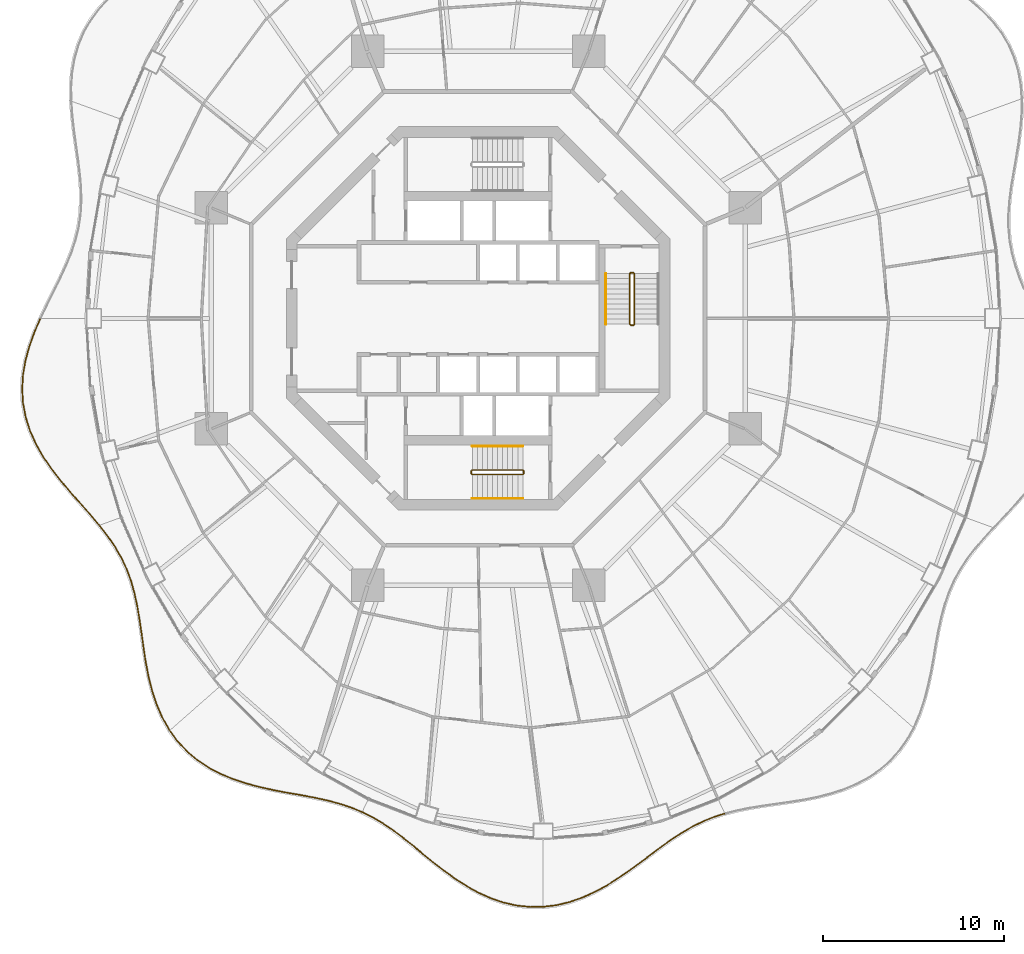
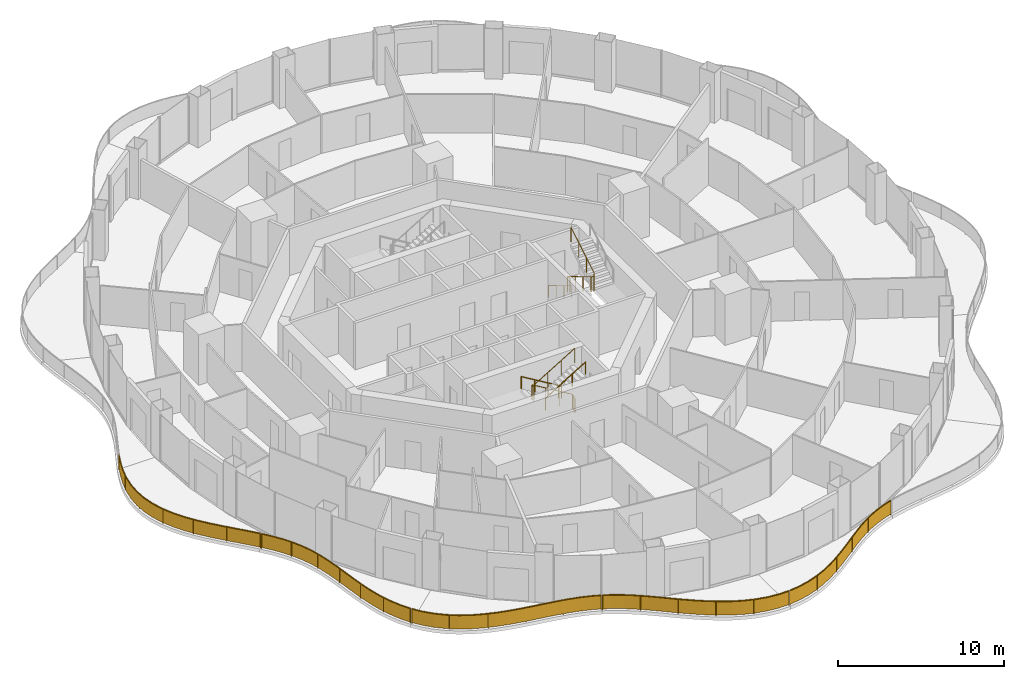
# One storey, part 17 of 19: 10 railings.
"""IFC4 building model written with IfcOpenShell, lengths in metres."""

from ifc_helpers import new_model, si_unit, direction, frame, origin, origin_2d, place, context, subcontext, project, spatial, polyline, rectangle, circle, outline, extrude, material, type_object, element, save


model = new_model("IFC4")

# Units and contexts
model_context = context("Model", 3, precision=1e-05, world=origin(), true_north=direction((0.0, 1.0)))
body_context = subcontext(model_context, "Body", "Model", "MODEL_VIEW")
ifc_project = project(units=[si_unit("LENGTHUNIT", "METRE"), si_unit("AREAUNIT", "SQUARE_METRE"), si_unit("VOLUMEUNIT", "CUBIC_METRE"), si_unit("PLANEANGLEUNIT", "RADIAN"), si_unit("MASSUNIT", "GRAM", prefix="KILO")], contexts=[model_context])

# Site, building, storey
site_placement = place(None, origin())
site = spatial("IfcSite", under=ifc_project, at=site_placement, CompositionType="ELEMENT")
building_placement = place(site_placement, origin())
building = spatial("IfcBuilding", under=site, at=building_placement, Name="Nagisa Residences", CompositionType="ELEMENT")
storey_placement = place(building_placement, frame((0.0, 0.0, 199.199951171875)))
storey = spatial("IfcBuildingStorey", under=building, at=storey_placement, Name="L50", CompositionType="ELEMENT", Elevation=199.199951171875)

# Railings
ifc_material_1 = material(Name="Stainless steel 316", Category="steel")
railing_type_1 = type_object("IfcRailingType", Name="BALCONY GUARD 1100", PredefinedType="BALUSTRADE", material=ifc_material_1)
railing_1_placement = place(storey_placement, frame((-24.25537109375, -0.03515625, 0.0)))
element("IfcRailing", 1, at=railing_1_placement, inside=storey, type_object=railing_type_1, Name="guard:L50:bal08-0", PredefinedType="BALUSTRADE", context=body_context, shape_type="SweptSolid", body=[
    extrude(outline(polyline([(-0.28955078125, -0.734375), (0.02294921875, -0.010009765625), (-0.02294921875, 0.010009765625), (-0.3359375, -0.7158203125), (-0.6171875, -1.49755859375), (-0.83349609375, -2.289306640625), (-0.97119140625, -3.0859375), (-1.01904296875, -3.88232421875), (-0.97216796875, -4.658935546875), (-0.825927734375, -5.4365234375), (-0.584228515625, -6.19677734375), (-0.254638671875, -6.934326171875), (0.151611328125, -7.6474609375), (0.61669921875, -8.320556640625), (1.1298828125, -8.981689453125), (1.66943359375, -9.619873046875), (2.216796875, -10.239990234375), (2.75341796875, -10.847412109375), (3.236083984375, -11.415771484375), (3.274169921875, -11.383544921875), (2.791015625, -10.814697265625), (2.25439453125, -10.206787109375), (1.70751953125, -9.587158203125), (1.1689453125, -8.949951171875), (0.6572265625, -8.290771484375), (0.194091796875, -7.62060546875), (-0.209716796875, -6.911865234375), (-0.537353515625, -6.1787109375), (-0.777099609375, -5.42431640625), (-0.92236328125, -4.652587890625), (-0.96875, -3.88232421875), (-0.92138671875, -3.091796875), (-0.78466796875, -2.300048828125), (-0.5693359375, -1.5126953125), (-0.28955078125, -0.734375)])), frame((0.0, 0.0, 1.050048828125)), (0.0, 0.0, 1.0), 0.050048828125),
    extrude(outline(polyline([(-0.30615234375, -0.727783203125), (0.00634765625, -0.002685546875), (-0.00634765625, 0.002685546875), (-0.3193359375, -0.722412109375), (-0.599853515625, -1.5029296875), (-0.81591796875, -2.293212890625), (-0.953369140625, -3.088134765625), (-1.0009765625, -3.88232421875), (-0.954345703125, -4.65673828125), (-0.808349609375, -5.43212890625), (-0.5673828125, -6.190185546875), (-0.238525390625, -6.92626953125), (0.1669921875, -7.6376953125), (0.63134765625, -8.309814453125), (1.14404296875, -8.97021484375), (1.68310546875, -9.608154296875), (2.23046875, -10.22802734375), (2.766845703125, -10.835693359375), (3.249755859375, -11.404296875), (3.260498046875, -11.39501953125), (2.777587890625, -10.826416015625), (2.24072265625, -10.21875), (1.69384765625, -9.598876953125), (1.15478515625, -8.96142578125), (0.642578125, -8.301513671875), (0.1787109375, -7.63037109375), (-0.225830078125, -6.919921875), (-0.55419921875, -6.185302734375), (-0.794677734375, -5.4287109375), (-0.940185546875, -4.65478515625), (-0.98681640625, -3.88232421875), (-0.939208984375, -3.089599609375), (-0.80224609375, -2.296142578125), (-0.586669921875, -1.50732421875), (-0.30615234375, -0.727783203125)])), frame((0.0, 0.0, 0.06005859375)), (0.0, 0.0, 1.0), 0.989990234375),
    extrude(rectangle(XDim=0.0400390625, YDim=0.0400390625, at=origin_2d()), origin(), (0.0, 0.0, 1.0), 1.050048828125),
    extrude(rectangle(XDim=0.0400390625, YDim=0.0400390625, at=origin_2d()), frame((-0.73291015625, -2.01611328125, 0.0)), (0.0, 0.0, 1.0), 1.050048828125),
    extrude(rectangle(XDim=0.0400390625, YDim=0.0400390625, at=origin_2d()), frame((-0.978271484375, -4.140625, 0.0)), (0.0, 0.0, 1.0), 1.050048828125),
    extrude(rectangle(XDim=0.0400390625, YDim=0.0400390625, at=origin_2d()), frame((-0.540771484375, -6.232666015625, 0.0)), (0.0, 0.0, 1.0), 1.050048828125),
    extrude(rectangle(XDim=0.0400390625, YDim=0.0400390625, at=origin_2d()), frame((0.4990234375, -8.106201171875, 0.0)), (0.0, 0.0, 1.0), 1.050048828125),
    extrude(rectangle(XDim=0.0400390625, YDim=0.0400390625, at=origin_2d()), frame((1.843994140625, -9.77978515625, 0.0)), (0.0, 0.0, 1.0), 1.050048828125),
    extrude(rectangle(XDim=0.0400390625, YDim=0.0400390625, at=origin_2d()), frame((3.255126953125, -11.399658203125, 0.0)), (0.0, 0.0, 1.0), 1.050048828125),
])
railing_2_placement = place(storey_placement, frame((-20.952392578125, -11.490478515625, 0.0)))
element("IfcRailing", 2, at=railing_2_placement, inside=storey, type_object=railing_type_1, Name="guard:L50:bal09-0", PredefinedType="BALUSTRADE", context=body_context, shape_type="SweptSolid", body=[
    extrude(outline(polyline([(0.449951171875, -0.536865234375), (0.019775390625, 0.015380859375), (-0.019775390625, -0.015380859375), (0.409423828125, -0.566162109375), (0.816162109375, -1.16162109375), (1.16943359375, -1.77294921875), (1.467041015625, -2.406494140625), (1.710693359375, -3.06689453125), (1.899169921875, -3.744384765625), (2.054443359375, -4.465087890625), (2.181396484375, -5.215087890625), (2.29345703125, -5.9892578125), (2.4052734375, -6.7822265625), (2.52392578125, -7.572265625), (2.681396484375, -8.375), (2.883056640625, -9.166015625), (3.140380859375, -9.93359375), (3.46240234375, -10.666259765625), (3.830810546875, -11.31201171875), (3.874267578125, -11.287109375), (3.50732421875, -10.643798828125), (3.187255859375, -9.91552734375), (2.930908203125, -9.15185546875), (2.730224609375, -8.36376953125), (2.5732421875, -7.56396484375), (2.45458984375, -6.77490234375), (2.3427734375, -5.982421875), (2.230712890625, -5.207275390625), (2.103759765625, -4.455810546875), (1.947998046875, -3.732177734375), (1.758544921875, -3.05126953125), (1.513427734375, -2.386962890625), (1.2138671875, -1.74951171875), (0.858642578125, -1.134765625), (0.449951171875, -0.536865234375)])), frame((0.0, 0.0, 1.050048828125)), (0.0, 0.0, 1.0), 0.050048828125),
    extrude(outline(polyline([(0.435302734375, -0.54736328125), (0.005615234375, 0.00439453125), (-0.005615234375, -0.00439453125), (0.424072265625, -0.5556640625), (0.83154296875, -1.15185546875), (1.185546875, -1.764404296875), (1.48388671875, -2.3994140625), (1.72802734375, -3.061279296875), (1.916748046875, -3.739990234375), (2.072265625, -4.461669921875), (2.19921875, -5.212158203125), (2.311279296875, -5.98681640625), (2.423095703125, -6.779541015625), (2.541748046875, -7.5693359375), (2.698974609375, -8.370849609375), (2.900146484375, -9.160888671875), (3.1572265625, -9.927001953125), (3.478515625, -10.658203125), (3.846435546875, -11.302978515625), (3.858642578125, -11.296142578125), (3.4912109375, -10.65185546875), (3.17041015625, -9.922119140625), (2.913818359375, -9.156982421875), (2.712646484375, -8.367919921875), (2.555419921875, -7.56689453125), (2.436767578125, -6.777587890625), (2.324951171875, -5.98486328125), (2.212890625, -5.210205078125), (2.0859375, -4.459228515625), (1.930419921875, -3.736572265625), (1.7412109375, -3.056884765625), (1.49658203125, -2.39404296875), (1.19775390625, -1.758056640625), (0.84326171875, -1.14453125), (0.435302734375, -0.54736328125)])), frame((0.0, 0.0, 0.06005859375)), (0.0, 0.0, 1.0), 0.989990234375),
    extrude(rectangle(XDim=0.0400390625, YDim=0.0400390625, at=origin_2d()), origin(), (0.0, 0.0, 1.0), 1.050048828125),
    extrude(rectangle(XDim=0.0400390625, YDim=0.0400390625, at=origin_2d()), frame((1.13525390625, -1.663818359375, 0.0)), (0.0, 0.0, 1.0), 1.050048828125),
    extrude(rectangle(XDim=0.0400390625, YDim=0.0400390625, at=origin_2d()), frame((1.86767578125, -3.537353515625, 0.0)), (0.0, 0.0, 1.0), 1.050048828125),
    extrude(rectangle(XDim=0.0400390625, YDim=0.0400390625, at=origin_2d()), frame((2.250244140625, -5.5166015625, 0.0)), (0.0, 0.0, 1.0), 1.050048828125),
    extrude(rectangle(XDim=0.0400390625, YDim=0.0400390625, at=origin_2d()), frame((2.540283203125, -7.512939453125, 0.0)), (0.0, 0.0, 1.0), 1.050048828125),
    extrude(rectangle(XDim=0.0400390625, YDim=0.0400390625, at=origin_2d()), frame((3.011962890625, -9.471923828125, 0.0)), (0.0, 0.0, 1.0), 1.050048828125),
    extrude(rectangle(XDim=0.0400390625, YDim=0.0400390625, at=origin_2d()), frame((3.8525390625, -11.299560546875, 0.0)), (0.0, 0.0, 1.0), 1.050048828125),
])
railing_3_placement = place(storey_placement, frame((-17.057861328125, -22.85498046875, 0.0)))
element("IfcRailing", 3, at=railing_3_placement, inside=storey, type_object=railing_type_1, Name="guard:L50:bal10-0", PredefinedType="BALUSTRADE", context=body_context, shape_type="SweptSolid", body=[
    extrude(outline(polyline([(0.432373046875, -0.5478515625), (0.020263671875, 0.014892578125), (-0.020263671875, -0.014892578125), (0.393798828125, -0.57958984375), (0.902587890625, -1.12548828125), (1.473876953125, -1.610107421875), (2.101806640625, -2.03125), (2.778076171875, -2.39013671875), (3.48095703125, -2.679443359375), (4.22412109375, -2.92626953125), (4.98388671875, -3.12890625), (5.749755859375, -3.296875), (6.51220703125, -3.442626953125), (7.24755859375, -3.569091796875), (7.977294921875, -3.707275390625), (8.681884765625, -3.86083984375), (9.359375, -4.03955078125), (10.009033203125, -4.253662109375), (10.59423828125, -4.493408203125), (10.61328125, -4.447021484375), (10.026611328125, -4.206787109375), (9.37353515625, -3.99169921875), (8.693603515625, -3.81201171875), (7.987060546875, -3.658447265625), (7.25634765625, -3.519775390625), (6.52099609375, -3.393310546875), (5.760009765625, -3.248046875), (4.99560546875, -3.080078125), (4.23828125, -2.87841796875), (3.49853515625, -2.632568359375), (2.799560546875, -2.3447265625), (2.127685546875, -1.98828125), (1.504150390625, -1.570068359375), (0.937255859375, -1.08935546875), (0.432373046875, -0.5478515625)])), frame((0.0, 0.0, 1.050048828125)), (0.0, 0.0, 1.0), 0.050048828125),
    extrude(outline(polyline([(0.41845703125, -0.559326171875), (0.005615234375, 0.004150390625), (-0.005615234375, -0.004150390625), (0.40771484375, -0.568115234375), (0.9150390625, -1.112548828125), (1.48486328125, -1.595703125), (2.111083984375, -2.015869140625), (2.785888671875, -2.373779296875), (3.4873046875, -2.66259765625), (4.229248046875, -2.908935546875), (4.988037109375, -3.111328125), (5.75341796875, -3.279296875), (6.515380859375, -3.4248046875), (7.250732421875, -3.55126953125), (7.980712890625, -3.689697265625), (8.68603515625, -3.84326171875), (9.364501953125, -4.0224609375), (10.015380859375, -4.23681640625), (10.60107421875, -4.476806640625), (10.6064453125, -4.463623046875), (10.020263671875, -4.2236328125), (9.368408203125, -4.0087890625), (8.689453125, -3.82958984375), (7.983642578125, -3.676025390625), (7.253173828125, -3.53759765625), (6.517822265625, -3.4111328125), (5.75634765625, -3.265625), (4.991455078125, -3.09765625), (4.233154296875, -2.895751953125), (3.4921875, -2.6494140625), (2.791748046875, -2.361083984375), (2.118408203125, -2.003662109375), (1.4931640625, -1.58447265625), (0.9248046875, -1.102294921875), (0.41845703125, -0.559326171875)])), frame((0.0, 0.0, 0.06005859375)), (0.0, 0.0, 1.0), 0.989990234375),
    extrude(rectangle(XDim=0.0400390625, YDim=0.0400390625, at=origin_2d()), origin(), (0.0, 0.0, 1.0), 1.050048828125),
    extrude(rectangle(XDim=0.0400390625, YDim=0.0400390625, at=origin_2d()), frame((1.635009765625, -1.68798828125, 0.0)), (0.0, 0.0, 1.0), 1.050048828125),
    extrude(rectangle(XDim=0.0400390625, YDim=0.0400390625, at=origin_2d()), frame((3.741455078125, -2.73974609375, 0.0)), (0.0, 0.0, 1.0), 1.050048828125),
    extrude(rectangle(XDim=0.0400390625, YDim=0.0400390625, at=origin_2d()), frame((6.029541015625, -3.324951171875, 0.0)), (0.0, 0.0, 1.0), 1.050048828125),
    extrude(rectangle(XDim=0.0400390625, YDim=0.0400390625, at=origin_2d()), frame((8.3525390625, -3.763427734375, 0.0)), (0.0, 0.0, 1.0), 1.050048828125),
    extrude(rectangle(XDim=0.0400390625, YDim=0.0400390625, at=origin_2d()), frame((10.603759765625, -4.47021484375, 0.0)), (0.0, 0.0, 1.0), 1.050048828125),
])
railing_4_placement = place(storey_placement, frame((-6.391357421875, -27.353515625, 0.0)))
element("IfcRailing", 4, at=railing_4_placement, inside=storey, type_object=railing_type_1, Name="guard:L50:bal11-0", PredefinedType="BALUSTRADE", context=body_context, shape_type="SweptSolid", body=[
    extrude(outline(polyline([(0.55517578125, -0.249755859375), (0.01123046875, 0.0224609375), (-0.01123046875, -0.0224609375), (0.53125, -0.293701171875), (1.09619140625, -0.62744140625), (1.6513671875, -1.002685546875), (2.202880859375, -1.4150390625), (2.7578125, -1.856689453125), (3.305419921875, -2.313720703125), (3.884521484375, -2.783935546875), (4.483154296875, -3.249267578125), (5.10400390625, -3.69580078125), (5.7490234375, -4.109619140625), (6.401611328125, -4.474609375), (7.09228515625, -4.783447265625), (7.802978515625, -5.023193359375), (8.528564453125, -5.185302734375), (9.263671875, -5.2646484375), (9.952880859375, -5.25830078125), (9.952392578125, -5.20849609375), (9.26611328125, -5.21435546875), (8.536865234375, -5.135986328125), (7.816650390625, -4.974853515625), (7.1103515625, -4.736572265625), (6.424072265625, -4.4296875), (5.77490234375, -4.066650390625), (5.13232421875, -3.654296875), (4.512939453125, -3.209228515625), (3.915771484375, -2.744873046875), (3.337158203125, -2.275146484375), (2.78955078125, -1.818115234375), (2.233642578125, -1.37548828125), (1.68017578125, -0.961669921875), (1.123046875, -0.5849609375), (0.55517578125, -0.249755859375)])), frame((0.0, 0.0, 1.050048828125)), (0.0, 0.0, 1.0), 0.050048828125),
    extrude(outline(polyline([(0.546630859375, -0.265625), (0.003173828125, 0.00634765625), (-0.003173828125, -0.00634765625), (0.539794921875, -0.27783203125), (1.10595703125, -0.612060546875), (1.66162109375, -0.98779296875), (2.2138671875, -1.40087890625), (2.769287109375, -1.8427734375), (3.31689453125, -2.2998046875), (3.895751953125, -2.769775390625), (4.493896484375, -3.23486328125), (5.1142578125, -3.680908203125), (5.75830078125, -4.09423828125), (6.40966796875, -4.45849609375), (7.098876953125, -4.7666015625), (7.807861328125, -5.005859375), (8.531494140625, -5.16748046875), (9.2646484375, -5.24658203125), (9.95263671875, -5.240478515625), (9.95263671875, -5.226318359375), (9.26513671875, -5.232421875), (8.533935546875, -5.15380859375), (7.811767578125, -4.9921875), (7.103759765625, -4.75341796875), (6.416015625, -4.44580078125), (5.765625, -4.08203125), (5.1220703125, -3.669189453125), (4.502197265625, -3.2236328125), (3.904541015625, -2.759033203125), (3.32568359375, -2.2890625), (2.778076171875, -1.83203125), (2.22265625, -1.3896484375), (1.669921875, -0.9765625), (1.11328125, -0.600341796875), (0.546630859375, -0.265625)])), frame((0.0, 0.0, 0.06005859375)), (0.0, 0.0, 1.0), 0.989990234375),
    extrude(rectangle(XDim=0.0400390625, YDim=0.0400390625, at=origin_2d()), origin(), (0.0, 0.0, 1.0), 1.050048828125),
    extrude(rectangle(XDim=0.0400390625, YDim=0.0400390625, at=origin_2d()), frame((1.955810546875, -1.19921875, 0.0)), (0.0, 0.0, 1.0), 1.050048828125),
    extrude(rectangle(XDim=0.0400390625, YDim=0.0400390625, at=origin_2d()), frame((3.74658203125, -2.639892578125, 0.0)), (0.0, 0.0, 1.0), 1.050048828125),
    extrude(rectangle(XDim=0.0400390625, YDim=0.0400390625, at=origin_2d()), frame((5.6064453125, -3.98828125, 0.0)), (0.0, 0.0, 1.0), 1.050048828125),
    extrude(rectangle(XDim=0.0400390625, YDim=0.0400390625, at=origin_2d()), frame((7.68310546875, -4.956298828125, 0.0)), (0.0, 0.0, 1.0), 1.050048828125),
    extrude(rectangle(XDim=0.0400390625, YDim=0.0400390625, at=origin_2d()), frame((9.95263671875, -5.2333984375, 0.0)), (0.0, 0.0, 1.0), 1.050048828125),
])
railing_5_placement = place(storey_placement, frame((3.638427734375, -32.58154296875, 0.0)))
element("IfcRailing", 5, at=railing_5_placement, inside=storey, type_object=railing_type_1, Name="guard:L50:bal12-0", PredefinedType="BALUSTRADE", context=body_context, shape_type="SweptSolid", body=[
    extrude(outline(polyline([(0.680908203125, 0.110107421875), (-0.003173828125, 0.02490234375), (0.003173828125, -0.02490234375), (0.689697265625, 0.060791015625), (1.416748046875, 0.232666015625), (2.12939453125, 0.47900390625), (2.82373046875, 0.790283203125), (3.4970703125, 1.155029296875), (4.13037109375, 1.557861328125), (4.75830078125, 1.98974609375), (5.365966796875, 2.4345703125), (5.9560546875, 2.8779296875), (6.53369140625, 3.307373046875), (7.086669921875, 3.70751953125), (7.6552734375, 4.07861328125), (8.228515625, 4.41015625), (8.813232421875, 4.6982421875), (9.413818359375, 4.9423828125), (9.994873046875, 5.13134765625), (9.979248046875, 5.1787109375), (9.396728515625, 4.9892578125), (8.792724609375, 4.744140625), (8.205078125, 4.4541015625), (7.62890625, 4.12109375), (7.058349609375, 3.74853515625), (6.50390625, 3.347900390625), (5.92626953125, 2.91796875), (5.336181640625, 2.474609375), (4.7294921875, 2.03076171875), (4.1025390625, 1.599365234375), (3.4716796875, 1.197998046875), (2.8017578125, 0.835205078125), (2.11083984375, 0.525390625), (1.402587890625, 0.281005859375), (0.680908203125, 0.110107421875)])), frame((0.0, 0.0, 1.050048828125)), (0.0, 0.0, 1.0), 0.050048828125),
    extrude(outline(polyline([(0.68408203125, 0.09228515625), (-0.0009765625, 0.0068359375), (0.0009765625, -0.0068359375), (0.6865234375, 0.07861328125), (1.41162109375, 0.25), (2.122802734375, 0.49560546875), (2.81591796875, 0.806396484375), (3.488037109375, 1.17041015625), (4.120361328125, 1.57275390625), (4.748046875, 2.004638671875), (5.355224609375, 2.448974609375), (5.9453125, 2.892333984375), (6.52294921875, 3.322021484375), (7.076416015625, 3.72216796875), (7.645751953125, 4.093994140625), (8.22021484375, 4.426025390625), (8.805908203125, 4.71484375), (9.40771484375, 4.959228515625), (9.9892578125, 5.1484375), (9.98486328125, 5.16162109375), (9.40283203125, 4.972412109375), (8.800048828125, 4.7275390625), (8.21337890625, 4.438232421875), (7.638427734375, 4.105712890625), (7.068603515625, 3.73388671875), (6.5146484375, 3.333251953125), (5.93701171875, 2.903564453125), (5.346923828125, 2.460205078125), (4.73974609375, 2.015869140625), (4.112548828125, 1.58447265625), (3.480712890625, 1.1826171875), (2.8095703125, 0.819091796875), (2.117431640625, 0.5087890625), (1.40771484375, 0.263671875), (0.68408203125, 0.09228515625)])), frame((0.0, 0.0, 0.06005859375)), (0.0, 0.0, 1.0), 0.989990234375),
    extrude(rectangle(XDim=0.0400390625, YDim=0.0400390625, at=origin_2d()), origin(), (0.0, 0.0, 1.0), 1.050048828125),
    extrude(rectangle(XDim=0.0400390625, YDim=0.0400390625, at=origin_2d()), frame((2.200439453125, 0.538330078125, 0.0)), (0.0, 0.0, 1.0), 1.050048828125),
    extrude(rectangle(XDim=0.0400390625, YDim=0.0400390625, at=origin_2d()), frame((4.191162109375, 1.630126953125, 0.0)), (0.0, 0.0, 1.0), 1.050048828125),
    extrude(rectangle(XDim=0.0400390625, YDim=0.0400390625, at=origin_2d()), frame((6.0322265625, 2.965576171875, 0.0)), (0.0, 0.0, 1.0), 1.050048828125),
    extrude(rectangle(XDim=0.0400390625, YDim=0.0400390625, at=origin_2d()), frame((7.90576171875, 4.252197265625, 0.0)), (0.0, 0.0, 1.0), 1.050048828125),
    extrude(rectangle(XDim=0.0400390625, YDim=0.0400390625, at=origin_2d()), frame((9.987060546875, 5.155029296875, 0.0)), (0.0, 0.0, 1.0), 1.050048828125),
])
ifc_material_2 = material(Name="Stainless steel", Category="steel")
railing_type_2 = type_object("IfcRailingType", Name="Stair guard 1100", PredefinedType="GUARDRAIL", material=ifc_material_2)
railing_6_placement = place(storey_placement, frame((8.599609375, 2.52490234375, 0.0)))
element("IfcRailing", 6, at=railing_6_placement, inside=storey, type_object=railing_type_2, Name="L50 ST-E stair guard 1", PredefinedType="GUARDRAIL", context=body_context, shape_type="SweptSolid", body=[
    extrude(circle(Radius=0.02392578125, at=origin_2d()), frame((0.0, 0.0, 1.076171875), z_axis=(-1.0, 0.0, 0.0), x_axis=(0.0, -1.0, 0.0)), (0.0, 0.0, 1.0), 0.14990234375),
    extrude(circle(Radius=0.02392578125, at=origin_2d()), frame((-0.14990234375, 0.0, 1.076171875), z_axis=(-0.27434429532, -0.273006030465, 0.922064485248), x_axis=(0.705375805398, -0.708833529934, 0.0)), (0.0, 0.0, 1.0), 0.182373046875),
    extrude(circle(Radius=0.02392578125, at=origin_2d()), frame((-0.199951171875, -0.0498046875, 1.244140625), z_axis=(0.0, -0.857242210791, 0.514913383045), x_axis=(1.0, 0.0, 0.0)), (0.0, 0.0, 1.0), 3.266357421875),
    extrude(circle(Radius=0.02392578125, at=origin_2d()), frame((-0.199951171875, -2.849853515625, 2.92626953125), z_axis=(0.707106781187, -0.707106781187, 0.0), x_axis=(0.707106781187, 0.707106781187, 0.0)), (0.0, 0.0, 1.0), 0.07080078125),
    extrude(circle(Radius=0.02392578125, at=origin_2d()), frame((-0.14990234375, -2.89990234375, 2.92626953125), z_axis=(1.0, 0.0, 0.0), x_axis=(0.0, 1.0, 0.0)), (0.0, 0.0, 1.0), 0.14990234375),
    extrude(circle(Radius=0.02392578125, at=origin_2d()), frame((0.0, -2.89990234375, 2.92626953125), z_axis=(0.274243871929, 0.274243871929, 0.92172696468), x_axis=(-0.707106781187, 0.707106781187, 0.0)), (0.0, 0.0, 1.0), 0.1826171875),
    extrude(circle(Radius=0.02392578125, at=origin_2d()), frame((0.050048828125, -2.849853515625, 3.09423828125), z_axis=(0.0, 0.857275202839, 0.514858452973), x_axis=(-1.0, 0.0, 0.0)), (0.0, 0.0, 1.0), 3.26611328125),
    extrude(circle(Radius=0.02099609375, at=origin_2d()), origin(), (0.0, 0.0, 1.0), 1.052001953125),
    extrude(circle(Radius=0.02099609375, at=origin_2d()), frame((-0.14990234375, 0.0, 0.0)), (0.0, 0.0, 1.0), 1.052001953125),
    extrude(circle(Radius=0.02099609375, at=origin_2d()), frame((-0.199951171875, -0.0498046875, 0.168212890625)), (0.0, 0.0, 1.0), 1.052001953125),
    extrude(circle(Radius=0.02099609375, at=origin_2d()), frame((-0.199951171875, -0.983154296875, 0.728759765625)), (0.0, 0.0, 1.0), 1.052001953125),
    extrude(circle(Radius=0.02099609375, at=origin_2d()), frame((-0.199951171875, -1.91650390625, 1.28955078125)), (0.0, 0.0, 1.0), 1.052001953125),
    extrude(circle(Radius=0.02099609375, at=origin_2d()), frame((-0.199951171875, -2.849853515625, 1.85009765625)), (0.0, 0.0, 1.0), 1.052001953125),
    extrude(circle(Radius=0.02099609375, at=origin_2d()), frame((-0.14990234375, -2.89990234375, 1.85009765625)), (0.0, 0.0, 1.0), 1.052001953125),
    extrude(circle(Radius=0.02099609375, at=origin_2d()), frame((0.0, -2.89990234375, 1.85009765625)), (0.0, 0.0, 1.0), 1.052001953125),
    extrude(circle(Radius=0.02099609375, at=origin_2d()), frame((0.050048828125, -2.849853515625, 2.018310546875)), (0.0, 0.0, 1.0), 1.052001953125),
    extrude(circle(Radius=0.02099609375, at=origin_2d()), frame((0.050048828125, -1.91650390625, 2.578857421875)), (0.0, 0.0, 1.0), 1.052001953125),
    extrude(circle(Radius=0.02099609375, at=origin_2d()), frame((0.050048828125, -0.983154296875, 3.139404296875)), (0.0, 0.0, 1.0), 1.052001953125),
    extrude(circle(Radius=0.02099609375, at=origin_2d()), frame((0.050048828125, -0.0498046875, 3.699951171875)), (0.0, 0.0, 1.0), 1.052001953125),
])
railing_7_placement = place(storey_placement, frame((2.52490234375, -8.599609375, 0.0)))
element("IfcRailing", 7, at=railing_7_placement, inside=storey, type_object=railing_type_2, Name="L50 ST-S stair guard 1", PredefinedType="GUARDRAIL", context=body_context, shape_type="SweptSolid", body=[
    extrude(circle(Radius=0.02392578125, at=origin_2d()), frame((0.0, 0.0, 1.076171875), z_axis=(0.0, 1.0, 0.0), x_axis=(-1.0, 0.0, 0.0)), (0.0, 0.0, 1.0), 0.14990234375),
    extrude(circle(Radius=0.02392578125, at=origin_2d()), frame((0.0, 0.14990234375, 1.076171875), z_axis=(-0.273006030465, 0.27434429532, 0.922064485248), x_axis=(-0.708833529934, -0.705375805398, 0.0)), (0.0, 0.0, 1.0), 0.182373046875),
    extrude(circle(Radius=0.02392578125, at=origin_2d()), frame((-0.0498046875, 0.199951171875, 1.244140625), z_axis=(-0.857242210791, 0.0, 0.514913383045), x_axis=(0.0, -1.0, 0.0)), (0.0, 0.0, 1.0), 3.266357421875),
    extrude(circle(Radius=0.02392578125, at=origin_2d()), frame((-2.849853515625, 0.199951171875, 2.92626953125), z_axis=(-0.707106781187, -0.707106781187, 0.0), x_axis=(0.707106781187, -0.707106781187, 0.0)), (0.0, 0.0, 1.0), 0.07080078125),
    extrude(circle(Radius=0.02392578125, at=origin_2d()), frame((-2.89990234375, 0.14990234375, 2.92626953125), z_axis=(0.0, -1.0, 0.0), x_axis=(1.0, 0.0, 0.0)), (0.0, 0.0, 1.0), 0.14990234375),
    extrude(circle(Radius=0.02392578125, at=origin_2d()), frame((-2.89990234375, 0.0, 2.92626953125), z_axis=(0.274243871929, -0.274243871929, 0.92172696468), x_axis=(0.707106781187, 0.707106781187, 0.0)), (0.0, 0.0, 1.0), 0.1826171875),
    extrude(circle(Radius=0.02392578125, at=origin_2d()), frame((-2.849853515625, -0.050048828125, 3.09423828125), z_axis=(0.857275202839, 0.0, 0.514858452973), x_axis=(0.0, 1.0, 0.0)), (0.0, 0.0, 1.0), 3.26611328125),
    extrude(circle(Radius=0.02099609375, at=origin_2d()), origin(), (0.0, 0.0, 1.0), 1.052001953125),
    extrude(circle(Radius=0.02099609375, at=origin_2d()), frame((0.0, 0.14990234375, 0.0)), (0.0, 0.0, 1.0), 1.052001953125),
    extrude(circle(Radius=0.02099609375, at=origin_2d()), frame((-0.0498046875, 0.199951171875, 0.168212890625)), (0.0, 0.0, 1.0), 1.052001953125),
    extrude(circle(Radius=0.02099609375, at=origin_2d()), frame((-0.983154296875, 0.199951171875, 0.728759765625)), (0.0, 0.0, 1.0), 1.052001953125),
    extrude(circle(Radius=0.02099609375, at=origin_2d()), frame((-1.91650390625, 0.199951171875, 1.28955078125)), (0.0, 0.0, 1.0), 1.052001953125),
    extrude(circle(Radius=0.02099609375, at=origin_2d()), frame((-2.849853515625, 0.199951171875, 1.85009765625)), (0.0, 0.0, 1.0), 1.052001953125),
    extrude(circle(Radius=0.02099609375, at=origin_2d()), frame((-2.89990234375, 0.14990234375, 1.85009765625)), (0.0, 0.0, 1.0), 1.052001953125),
    extrude(circle(Radius=0.02099609375, at=origin_2d()), frame((-2.89990234375, 0.0, 1.85009765625)), (0.0, 0.0, 1.0), 1.052001953125),
    extrude(circle(Radius=0.02099609375, at=origin_2d()), frame((-2.849853515625, -0.050048828125, 2.018310546875)), (0.0, 0.0, 1.0), 1.052001953125),
    extrude(circle(Radius=0.02099609375, at=origin_2d()), frame((-1.91650390625, -0.050048828125, 2.578857421875)), (0.0, 0.0, 1.0), 1.052001953125),
    extrude(circle(Radius=0.02099609375, at=origin_2d()), frame((-0.983154296875, -0.050048828125, 3.139404296875)), (0.0, 0.0, 1.0), 1.052001953125),
    extrude(circle(Radius=0.02099609375, at=origin_2d()), frame((-0.0498046875, -0.050048828125, 3.699951171875)), (0.0, 0.0, 1.0), 1.052001953125),
])
ifc_material_3 = material(Name="Stainless steel", Category="steel")
railing_type_3 = type_object("IfcRailingType", Name="Stair handrail 900", PredefinedType="HANDRAIL", material=ifc_material_3)
railing_8_placement = place(storey_placement, frame((7.07470703125, 2.47509765625, 0.168212890625)))
element("IfcRailing", 8, at=railing_8_placement, inside=storey, type_object=railing_type_3, Name="L50 ST-E stair handrail 1", PredefinedType="HANDRAIL", context=body_context, shape_type="SweptSolid", body=[
    extrude(circle(Radius=0.02392578125, at=origin_2d()), frame((0.0, 0.0, 0.8759765625), z_axis=(0.0, -0.857242210791, 0.514913383045), x_axis=(1.0, 0.0, 0.0)), (0.0, 0.0, 1.0), 3.266357421875),
    extrude(circle(Radius=0.02099609375, at=origin_2d()), origin(), (0.0, 0.0, 1.0), 0.851806640625),
    extrude(circle(Radius=0.02099609375, at=origin_2d()), frame((0.0, -0.933349609375, 0.560546875)), (0.0, 0.0, 1.0), 0.851806640625),
    extrude(circle(Radius=0.02099609375, at=origin_2d()), frame((0.0, -1.86669921875, 1.121337890625)), (0.0, 0.0, 1.0), 0.851806640625),
    extrude(circle(Radius=0.02099609375, at=origin_2d()), frame((0.0, -2.800048828125, 1.681884765625)), (0.0, 0.0, 1.0), 0.851806640625),
])
railing_9_placement = place(storey_placement, frame((2.47509765625, -7.07470703125, 0.168212890625)))
element("IfcRailing", 9, at=railing_9_placement, inside=storey, type_object=railing_type_3, Name="L50 ST-S stair handrail 1", PredefinedType="HANDRAIL", context=body_context, shape_type="SweptSolid", body=[
    extrude(circle(Radius=0.02392578125, at=origin_2d()), frame((0.0, 0.0, 0.8759765625), z_axis=(-0.857242210791, 0.0, 0.514913383045), x_axis=(0.0, -1.0, 0.0)), (0.0, 0.0, 1.0), 3.266357421875),
    extrude(circle(Radius=0.02099609375, at=origin_2d()), origin(), (0.0, 0.0, 1.0), 0.851806640625),
    extrude(circle(Radius=0.02099609375, at=origin_2d()), frame((-0.933349609375, 0.0, 0.560546875)), (0.0, 0.0, 1.0), 0.851806640625),
    extrude(circle(Radius=0.02099609375, at=origin_2d()), frame((-1.86669921875, 0.0, 1.121337890625)), (0.0, 0.0, 1.0), 0.851806640625),
    extrude(circle(Radius=0.02099609375, at=origin_2d()), frame((-2.800048828125, 0.0, 1.681884765625)), (0.0, 0.0, 1.0), 0.851806640625),
])
railing_10_placement = place(storey_placement, frame((-0.324951171875, -9.974609375, 2.018310546875)))
element("IfcRailing", 10, at=railing_10_placement, inside=storey, type_object=railing_type_3, Name="L50 ST-S stair handrail 2", PredefinedType="HANDRAIL", context=body_context, shape_type="SweptSolid", body=[
    extrude(circle(Radius=0.02392578125, at=origin_2d()), frame((0.0, 0.0, 0.8759765625), z_axis=(0.857275202839, 0.0, 0.514858452973), x_axis=(0.0, 1.0, 0.0)), (0.0, 0.0, 1.0), 3.26611328125),
    extrude(circle(Radius=0.02099609375, at=origin_2d()), origin(), (0.0, 0.0, 1.0), 0.851806640625),
    extrude(circle(Radius=0.02099609375, at=origin_2d()), frame((0.933349609375, 0.0, 0.560546875)), (0.0, 0.0, 1.0), 0.851806640625),
    extrude(circle(Radius=0.02099609375, at=origin_2d()), frame((1.86669921875, 0.0, 1.12109375)), (0.0, 0.0, 1.0), 0.851806640625),
    extrude(circle(Radius=0.02099609375, at=origin_2d()), frame((2.800048828125, 0.0, 1.681640625)), (0.0, 0.0, 1.0), 0.851806640625),
])

save(model, "model.ifc")
